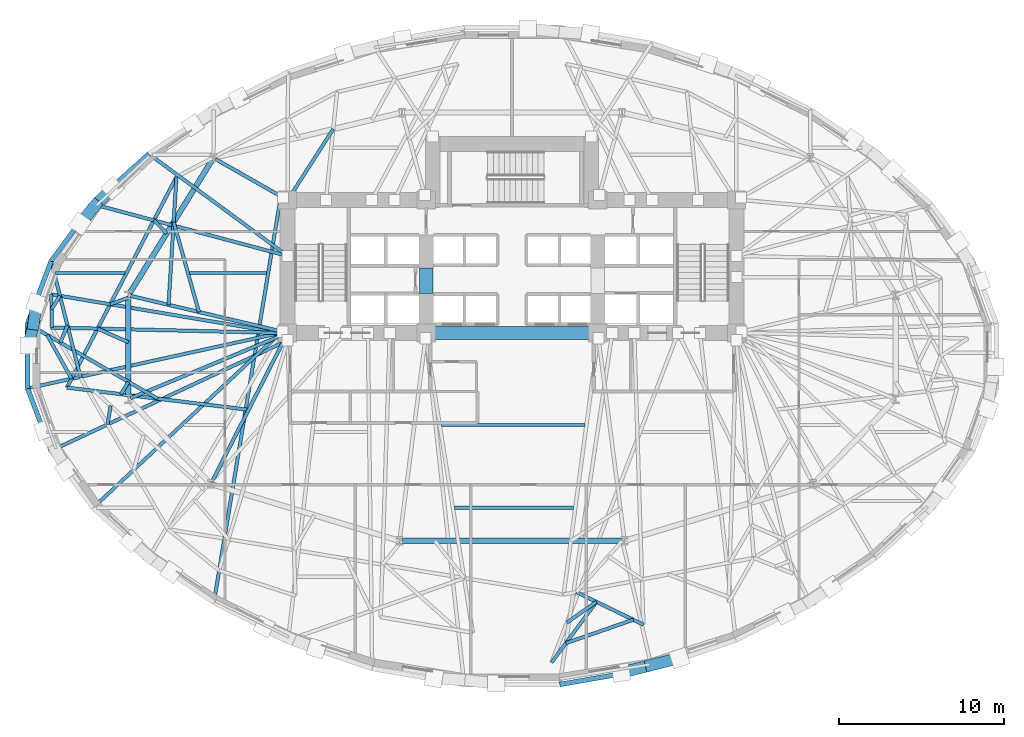
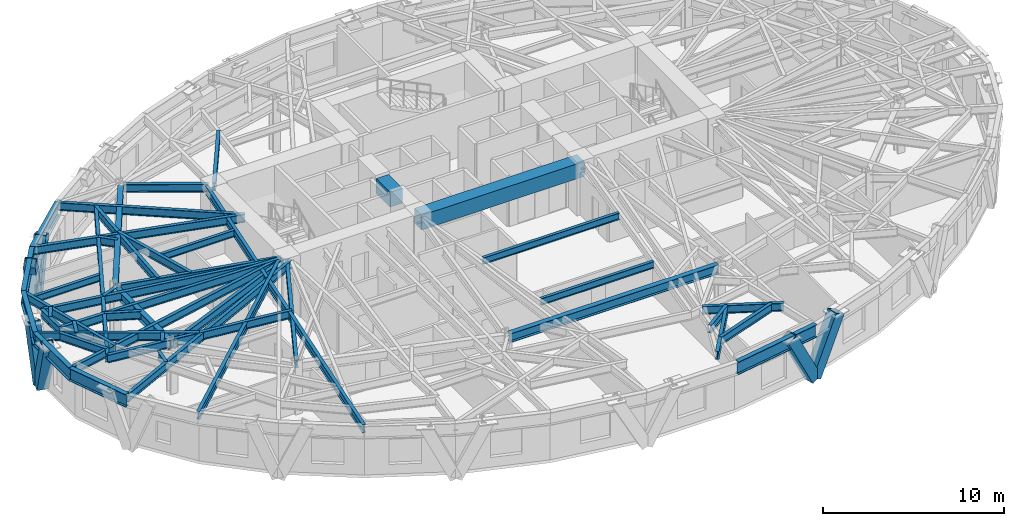
# One storey, part 2 of 14: 47 beams, 6 members.
"""IFC4 building model written with IfcOpenShell, lengths in metres."""

from ifc_helpers import new_model, si_unit, direction, frame, origin, origin_2d, place, context, subcontext, project, spatial, rectangle, hollow_rectangle, i_section, extrude, material, material_profile, profile_set, type_object, element, save


model = new_model("IFC4")

# Units and contexts
model_context = context("Model", 3, precision=1e-05, world=origin(), true_north=direction((0.0, 1.0)))
body_context = subcontext(model_context, "Body", "Model", "MODEL_VIEW")
ifc_project = project(units=[si_unit("LENGTHUNIT", "METRE"), si_unit("AREAUNIT", "SQUARE_METRE"), si_unit("VOLUMEUNIT", "CUBIC_METRE"), si_unit("PLANEANGLEUNIT", "RADIAN"), si_unit("MASSUNIT", "GRAM", prefix="KILO")], contexts=[model_context])

# Site, building, storey
site_placement = place(None, origin())
site = spatial("IfcSite", under=ifc_project, at=site_placement, CompositionType="ELEMENT")
building_placement = place(site_placement, origin())
building = spatial("IfcBuilding", under=site, at=building_placement, Name="Keldmark Tower", CompositionType="ELEMENT")
storey_placement = place(building_placement, frame((0.0, 0.0, 59.39990234375)))
storey = spatial("IfcBuildingStorey", under=building, at=storey_placement, Name="L15", CompositionType="ELEMENT", Elevation=59.39990234375)

# Beams
ifc_material_1 = material(Name="Steel ASTM A992 Grade 50", Category="steel")
ifc_material_profile_1 = material_profile(ifc_material_1, i_section(OverallWidth=0.19091796875, OverallDepth=0.45703125, WebThickness=0.009033203125, FlangeThickness=0.014404296875, at=origin_2d()), Name="W18X50")
ifc_profile_set_1 = profile_set([ifc_material_profile_1], Name="Steel ASTM A992 Grade 50")
beam_type_1 = type_object("IfcBeamType", Name="Composite Floor Joist W18X50", PredefinedType="JOIST", material=ifc_profile_set_1)
beam_1_placement = place(storey_placement, frame((-3.484375, -9.199951171875, 3.171630859375), z_axis=(1.0, 0.0, 0.0), x_axis=(0.0, 1.0, 0.0)))
element("IfcBeam", 1, at=beam_1_placement, inside=storey, type_object=beam_type_1, Name="L15 Composite Floor Joist J03", PredefinedType="JOIST", context=body_context, shape_type="SweptSolid", body=[
    extrude(i_section(OverallWidth=0.19091796875, OverallDepth=0.45703125, WebThickness=0.009033203125, FlangeThickness=0.014404296875, at=origin_2d()), origin(), (0.0, 0.0, 1.0), 7.225341796875),
])
beam_2_placement = place(storey_placement, frame((-4.28466796875, -4.179931640625, 3.171630859375), z_axis=(1.0, 0.0, 0.0), x_axis=(0.0, 1.0, 0.0)))
element("IfcBeam", 2, at=beam_2_placement, inside=storey, type_object=beam_type_1, Name="L15 Composite Floor Joist J08", PredefinedType="JOIST", context=body_context, shape_type="SweptSolid", body=[
    extrude(i_section(OverallWidth=0.19091796875, OverallDepth=0.45703125, WebThickness=0.009033203125, FlangeThickness=0.014404296875, at=origin_2d()), origin(), (0.0, 0.0, 1.0), 8.69921875),
])
beam_3_placement = place(storey_placement, frame((-27.656005859375, 5.0400390625, 3.171630859375), z_axis=(1.0, 0.0, 0.0), x_axis=(0.0, 1.0, 0.0)))
element("IfcBeam", 3, at=beam_3_placement, inside=storey, type_object=beam_type_1, Name="L15 Composite Floor Joist J13", PredefinedType="JOIST", context=body_context, shape_type="SweptSolid", body=[
    extrude(i_section(OverallWidth=0.19091796875, OverallDepth=0.45703125, WebThickness=0.009033203125, FlangeThickness=0.014404296875, at=origin_2d()), origin(), (0.0, 0.0, 1.0), 4.185791015625),
])
beam_4_placement = place(storey_placement, frame((-19.542724609375, 5.0400390625, 3.171630859375), z_axis=(1.0, 0.0, 0.0), x_axis=(0.0, 1.0, 0.0)))
element("IfcBeam", 4, at=beam_4_placement, inside=storey, type_object=beam_type_1, Name="L15 Composite Floor Joist J14", PredefinedType="JOIST", context=body_context, shape_type="SweptSolid", body=[
    extrude(i_section(OverallWidth=0.19091796875, OverallDepth=0.45703125, WebThickness=0.009033203125, FlangeThickness=0.014404296875, at=origin_2d()), origin(), (0.0, 0.0, 1.0), 4.66845703125),
])
ifc_material_2 = material(Name="Concrete C70/85", Category="concrete")
ifc_material_profile_2 = material_profile(ifc_material_2, rectangle(XDim=0.800048828125, YDim=1.0, at=origin_2d()), Name="RCB800X1000")
ifc_profile_set_2 = profile_set([ifc_material_profile_2], Name="Concrete C70/85")
beam_type_2 = type_object("IfcBeamType", Name="Core Coupling Beam RCB800X1000", PredefinedType="USERDEFINED", material=ifc_profile_set_2)
beam_5_placement = place(storey_placement, frame((-5.199951171875, 3.800048828125, 2.900146484375), z_axis=(0.0, 1.0, 0.0), x_axis=(-1.0, 0.0, 0.0)))
element("IfcBeam", 5, at=beam_5_placement, inside=storey, type_object=beam_type_2, Name="L15 West Core Coupling Beam", ObjectType="COUPLING BEAM", PredefinedType="USERDEFINED", context=body_context, shape_type="SweptSolid", body=[
    extrude(rectangle(XDim=0.800048828125, YDim=1.0, at=origin_2d()), origin(), (0.0, 0.0, 1.0), 1.550048828125),
])
beam_6_placement = place(storey_placement, frame((-5.199951171875, 1.39990234375, 2.900146484375), z_axis=(1.0, 0.0, 0.0), x_axis=(0.0, 1.0, 0.0)))
element("IfcBeam", 6, at=beam_6_placement, inside=storey, type_object=beam_type_2, Name="L15 Central South Core Coupling Beam", ObjectType="COUPLING BEAM", PredefinedType="USERDEFINED", context=body_context, shape_type="SweptSolid", body=[
    extrude(rectangle(XDim=0.800048828125, YDim=1.0, at=origin_2d()), origin(), (0.0, 0.0, 1.0), 10.39990234375),
])

# Members
ifc_material_3 = material(Name="Steel ASTM A572 Grade 50", Category="steel")
ifc_material_profile_3 = material_profile(ifc_material_3, hollow_rectangle(XDim=0.699951171875, YDim=0.699951171875, WallThickness=0.054931640625, at=origin_2d()), Name="BOX700X700X55")
ifc_profile_set_3 = profile_set([ifc_material_profile_3], Name="Steel ASTM A572 Grade 50")
member_type = type_object("IfcMemberType", Name="Diagrid Zone 1 Brace BOX700X700X55", PredefinedType="BRACE", material=ifc_profile_set_3)
member_1_placement = place(storey_placement, frame((-25.257080078125, 9.13134765625, -0.27978515625), z_axis=(0.268908672115, 0.272266862413, 0.923882504268), x_axis=(-0.711480936802, 0.702705398135, 0.0)))
element("IfcMember", 7, at=member_1_placement, inside=storey, type_object=member_type, Name="L15 Perimeter Diagrid Brace 07A", PredefinedType="BRACE", context=body_context, shape_type="SweptSolid", body=[
    extrude(hollow_rectangle(XDim=0.699951171875, YDim=0.699951171875, WallThickness=0.054931640625, at=origin_2d()), origin(), (0.0, 0.0, 1.0), 3.85302734375),
])
member_2_placement = place(storey_placement, frame((-25.25048828125, 9.14111328125, -0.27978515625), z_axis=(-0.243482315817, -0.290884267841, 0.925258182675), x_axis=(0.766820858805, -0.641861176971, 0.0)))
element("IfcMember", 8, at=member_2_placement, inside=storey, type_object=member_type, Name="L15 Perimeter Diagrid Brace 07B", PredefinedType="BRACE", context=body_context, shape_type="SweptSolid", body=[
    extrude(hollow_rectangle(XDim=0.699951171875, YDim=0.699951171875, WallThickness=0.054931640625, at=origin_2d()), origin(), (0.0, 0.0, 1.0), 3.847412109375),
])
member_3_placement = place(storey_placement, frame((-29.00048828125, 1.9228515625, -0.27978515625), z_axis=(0.045507964239, 0.338473541384, 0.939874825162), x_axis=(-0.991082244574, 0.133251583445, 0.0)))
element("IfcMember", 9, at=member_3_placement, inside=storey, type_object=member_type, Name="L15 Perimeter Diagrid Brace 08A", PredefinedType="BRACE", context=body_context, shape_type="SweptSolid", body=[
    extrude(hollow_rectangle(XDim=0.699951171875, YDim=0.699951171875, WallThickness=0.054931640625, at=origin_2d()), origin(), (0.0, 0.0, 1.0), 3.78759765625),
])
member_4_placement = place(storey_placement, frame((-28.998291015625, 1.934326171875, -0.27978515625), z_axis=(-0.079851814442, -0.338823721505, 0.937455158115), x_axis=(0.973334750273, -0.229389328243, 0.0)))
element("IfcMember", 10, at=member_4_placement, inside=storey, type_object=member_type, Name="L15 Perimeter Diagrid Brace 08B", PredefinedType="BRACE", context=body_context, shape_type="SweptSolid", body=[
    extrude(hollow_rectangle(XDim=0.699951171875, YDim=0.699951171875, WallThickness=0.054931640625, at=origin_2d()), origin(), (0.0, 0.0, 1.0), 3.79736328125),
])
member_5_placement = place(storey_placement, frame((8.4052734375, -18.739013671875, -0.27978515625), z_axis=(-0.447842447111, -0.115472207341, 0.886624673635), x_axis=(0.249675217965, -0.968329636815, 0.0)))
element("IfcMember", 11, at=member_5_placement, inside=storey, type_object=member_type, Name="L15 Perimeter Diagrid Brace 13A", PredefinedType="BRACE", context=body_context, shape_type="SweptSolid", body=[
    extrude(hollow_rectangle(XDim=0.699951171875, YDim=0.699951171875, WallThickness=0.054931640625, at=origin_2d()), origin(), (0.0, 0.0, 1.0), 4.01513671875),
])
member_6_placement = place(storey_placement, frame((8.393798828125, -18.7412109375, -0.27978515625), z_axis=(0.441031186256, 0.108394198451, 0.890922101248), x_axis=(-0.238671651166, 0.971100325883, 0.0)))
element("IfcMember", 12, at=member_6_placement, inside=storey, type_object=member_type, Name="L15 Perimeter Diagrid Brace 13B", PredefinedType="BRACE", context=body_context, shape_type="SweptSolid", body=[
    extrude(hollow_rectangle(XDim=0.699951171875, YDim=0.699951171875, WallThickness=0.054931640625, at=origin_2d()), origin(), (0.0, 0.0, 1.0), 3.99560546875),
])

# Beams
ifc_material_4 = material(Name="Steel ASTM A992 Grade 50", Category="steel")
ifc_material_profile_4 = material_profile(ifc_material_4, i_section(OverallWidth=0.323974609375, OverallDepth=0.611083984375, WebThickness=0.0126953125, FlangeThickness=0.01904296875, at=origin_2d()), Name="W24X104")
ifc_profile_set_4 = profile_set([ifc_material_profile_4], Name="Steel ASTM A992 Grade 50")
beam_type_3 = type_object("IfcBeamType", Name="Primary Floor Girder W24X104", PredefinedType="BEAM", material=ifc_profile_set_4)
beam_7_placement = place(storey_placement, frame((-18.17138671875, 11.888427734375, 3.094482421875), z_axis=(-0.526318405849, -0.850287560573, 0.0), x_axis=(0.850287560573, -0.526318405849, 0.0)))
element("IfcBeam", 13, at=beam_7_placement, inside=storey, type_object=beam_type_3, Name="L15 Floor Ring Girder FG-R05", PredefinedType="BEAM", context=body_context, shape_type="SweptSolid", body=[
    extrude(i_section(OverallWidth=0.323974609375, OverallDepth=0.611083984375, WebThickness=0.0126953125, FlangeThickness=0.01904296875, at=origin_2d()), origin(), (0.0, 0.0, 1.0), 9.51708984375),
])
beam_8_placement = place(storey_placement, frame((-23.25390625, 3.537109375, 3.094482421875), z_axis=(0.0, -1.0, 0.0), x_axis=(1.0, 0.0, 0.0)))
element("IfcBeam", 14, at=beam_8_placement, inside=storey, type_object=beam_type_3, Name="L15 Floor Ring Girder FG-R06", PredefinedType="BEAM", context=body_context, shape_type="SweptSolid", body=[
    extrude(i_section(OverallWidth=0.323974609375, OverallDepth=0.611083984375, WebThickness=0.0126953125, FlangeThickness=0.01904296875, at=origin_2d()), origin(), (0.0, 0.0, 1.0), 6.01025390625),
])
beam_9_placement = place(storey_placement, frame((-6.68212890625, -11.205810546875, 3.094482421875), z_axis=(1.0, 0.0, 0.0), x_axis=(0.0, 1.0, 0.0)))
element("IfcBeam", 15, at=beam_9_placement, inside=storey, type_object=beam_type_3, Name="L15 Floor Ring Girder FG-R09", PredefinedType="BEAM", context=body_context, shape_type="SweptSolid", body=[
    extrude(i_section(OverallWidth=0.323974609375, OverallDepth=0.611083984375, WebThickness=0.0126953125, FlangeThickness=0.01904296875, at=origin_2d()), origin(), (0.0, 0.0, 1.0), 13.3642578125),
])
ifc_material_5 = material(Name="Steel ASTM A992 Grade 50", Category="steel")
ifc_material_profile_5 = material_profile(ifc_material_5, i_section(OverallWidth=0.2099609375, OverallDepth=0.537109375, WebThickness=0.010986328125, FlangeThickness=0.017333984375, at=origin_2d()), Name="W21X68")
ifc_profile_set_5 = profile_set([ifc_material_profile_5], Name="Steel ASTM A992 Grade 50")
beam_type_4 = type_object("IfcBeamType", Name="Radial Tie Girder W21X68", PredefinedType="BEAM", material=ifc_profile_set_5)
beam_10_placement = place(storey_placement, frame((-13.60009765625, 9.449951171875, 3.131591796875), z_axis=(0.540328331068, 0.841454273651, 0.0), x_axis=(-0.841454273651, 0.540328331068, 0.0)))
element("IfcBeam", 16, at=beam_10_placement, inside=storey, type_object=beam_type_4, Name="L15 Framing Pin Header PH-005", PredefinedType="BEAM", context=body_context, shape_type="SweptSolid", body=[
    extrude(i_section(OverallWidth=0.2099609375, OverallDepth=0.537109375, WebThickness=0.010986328125, FlangeThickness=0.017333984375, at=origin_2d()), origin(), (0.0, 0.0, 1.0), 5.117431640625),
])
beam_11_placement = place(storey_placement, frame((-18.974853515625, 2.66796875, 3.131591796875), z_axis=(-0.270963018547, 0.962589758194, 0.0), x_axis=(-0.962589758194, -0.270963018547, 0.0)))
element("IfcBeam", 17, at=beam_11_placement, inside=storey, type_object=beam_type_4, Name="L15 Framing Pin Header PH-006", PredefinedType="BEAM", context=body_context, shape_type="SweptSolid", body=[
    extrude(i_section(OverallWidth=0.2099609375, OverallDepth=0.537109375, WebThickness=0.010986328125, FlangeThickness=0.017333984375, at=origin_2d()), origin(), (0.0, 0.0, 1.0), 5.657470703125),
])
beam_12_placement = place(storey_placement, frame((-20.816162109375, 3.102294921875, 3.131591796875), z_axis=(0.06139334626, 0.998113649358, 0.0), x_axis=(-0.998113649358, 0.06139334626, 0.0)))
element("IfcBeam", 18, at=beam_12_placement, inside=storey, type_object=beam_type_4, Name="L15 Sub-Ring Step Girder STP1-M06", PredefinedType="BEAM", context=body_context, shape_type="SweptSolid", body=[
    extrude(i_section(OverallWidth=0.2099609375, OverallDepth=0.537109375, WebThickness=0.010986328125, FlangeThickness=0.017333984375, at=origin_2d()), origin(), (0.0, 0.0, 1.0), 7.762451171875),
])
beam_13_placement = place(storey_placement, frame((-23.25390625, -1.571533203125, 3.131591796875), z_axis=(-0.519661140087, -0.85437245946, 0.0), x_axis=(0.85437245946, -0.519661140087, 0.0)))
element("IfcBeam", 19, at=beam_13_placement, inside=storey, type_object=beam_type_4, Name="L15 Framing Pin Header PH-007", PredefinedType="BEAM", context=body_context, shape_type="SweptSolid", body=[
    extrude(i_section(OverallWidth=0.2099609375, OverallDepth=0.537109375, WebThickness=0.010986328125, FlangeThickness=0.017333984375, at=origin_2d()), origin(), (0.0, 0.0, 1.0), 0.8671875),
])
beam_14_placement = place(storey_placement, frame((-15.96728515625, -3.258056640625, 3.131591796875), z_axis=(-0.992616109311, 0.121298225607, 0.0), x_axis=(-0.121298225607, -0.992616109311, 0.0)))
element("IfcBeam", 20, at=beam_14_placement, inside=storey, type_object=beam_type_4, Name="L15 Sub-Ring Step Girder STP1-M07", PredefinedType="BEAM", context=body_context, shape_type="SweptSolid", body=[
    extrude(i_section(OverallWidth=0.2099609375, OverallDepth=0.537109375, WebThickness=0.010986328125, FlangeThickness=0.017333984375, at=origin_2d()), origin(), (0.0, 0.0, 1.0), 11.092041015625),
])
beam_15_placement = place(storey_placement, frame((-20.339599609375, 10.85009765625, 3.131591796875), z_axis=(-0.461425941437, -0.887178730904, 0.0), x_axis=(0.887178730904, -0.461425941437, 0.0)))
element("IfcBeam", 21, at=beam_15_placement, inside=storey, type_object=beam_type_4, Name="L15 Perimeter Collector Ring Beam CRG1-M06", PredefinedType="BEAM", context=body_context, shape_type="SweptSolid", body=[
    extrude(i_section(OverallWidth=0.2099609375, OverallDepth=0.537109375, WebThickness=0.010986328125, FlangeThickness=0.017333984375, at=origin_2d()), origin(), (0.0, 0.0, 1.0), 14.3857421875),
])
beam_16_placement = place(storey_placement, frame((-23.25390625, 0.83251953125, 3.131591796875), z_axis=(-0.913816481549, 0.406127366783, 0.0), x_axis=(-0.406127366783, -0.913816481549, 0.0)))
element("IfcBeam", 22, at=beam_16_placement, inside=storey, type_object=beam_type_4, Name="L15 Framing Pin Header PH-010", PredefinedType="BEAM", context=body_context, shape_type="SweptSolid", body=[
    extrude(i_section(OverallWidth=0.2099609375, OverallDepth=0.537109375, WebThickness=0.010986328125, FlangeThickness=0.017333984375, at=origin_2d()), origin(), (0.0, 0.0, 1.0), 2.040771484375),
])
beam_17_placement = place(storey_placement, frame((-14.050048828125, 1.39990234375, 3.131591796875), z_axis=(-0.99972154515, 0.023597291443, 0.0), x_axis=(-0.023597291443, -0.99972154515, 0.0)))
element("IfcBeam", 23, at=beam_17_placement, inside=storey, type_object=beam_type_4, Name="L15 Sub-Ring Step Girder STP2-M07", PredefinedType="BEAM", context=body_context, shape_type="SweptSolid", body=[
    extrude(i_section(OverallWidth=0.2099609375, OverallDepth=0.537109375, WebThickness=0.010986328125, FlangeThickness=0.017333984375, at=origin_2d()), origin(), (0.0, 0.0, 1.0), 13.853515625),
])
beam_18_placement = place(storey_placement, frame((-13.60009765625, 6.064208984375, 3.131591796875), z_axis=(-0.805740902522, 0.592268180813, 0.0), x_axis=(-0.592268180813, -0.805740902522, 0.0)))
element("IfcBeam", 24, at=beam_18_placement, inside=storey, type_object=beam_type_4, Name="L15 Perimeter Radial Tie Girder RT-13", PredefinedType="BEAM", context=body_context, shape_type="SweptSolid", body=[
    extrude(i_section(OverallWidth=0.2099609375, OverallDepth=0.537109375, WebThickness=0.010986328125, FlangeThickness=0.017333984375, at=origin_2d()), origin(), (0.0, 0.0, 1.0), 10.445068359375),
])
beam_19_placement = place(storey_placement, frame((-20.92626953125, 7.437744140625, 3.131591796875), z_axis=(-0.705449376999, 0.708760309619, 0.0), x_axis=(-0.708760309619, -0.705449376999, 0.0)))
element("IfcBeam", 25, at=beam_19_placement, inside=storey, type_object=beam_type_4, Name="L15 Framing Pin Header PH-024", PredefinedType="BEAM", context=body_context, shape_type="SweptSolid", body=[
    extrude(i_section(OverallWidth=0.2099609375, OverallDepth=0.537109375, WebThickness=0.010986328125, FlangeThickness=0.017333984375, at=origin_2d()), origin(), (0.0, 0.0, 1.0), 1.10595703125),
])
beam_20_placement = place(storey_placement, frame((-13.60009765625, 6.064208984375, 3.131591796875), z_axis=(-0.966364647714, 0.25717575245, 0.0), x_axis=(-0.25717575245, -0.966364647714, 0.0)))
element("IfcBeam", 26, at=beam_20_placement, inside=storey, type_object=beam_type_4, Name="L15 Perimeter Radial Tie Girder RT-14", PredefinedType="BEAM", context=body_context, shape_type="SweptSolid", body=[
    extrude(i_section(OverallWidth=0.2099609375, OverallDepth=0.537109375, WebThickness=0.010986328125, FlangeThickness=0.017333984375, at=origin_2d()), origin(), (0.0, 0.0, 1.0), 12.203369140625),
])
beam_21_placement = place(storey_placement, frame((-23.25390625, 3.537109375, 3.131591796875), z_axis=(-0.939163925397, -0.343469243503, 0.0), x_axis=(0.343469243503, -0.939163925397, 0.0)))
element("IfcBeam", 27, at=beam_21_placement, inside=storey, type_object=beam_type_4, Name="L15 Framing Pin Header PH-025", PredefinedType="BEAM", context=body_context, shape_type="SweptSolid", body=[
    extrude(i_section(OverallWidth=0.2099609375, OverallDepth=0.537109375, WebThickness=0.010986328125, FlangeThickness=0.017333984375, at=origin_2d()), origin(), (0.0, 0.0, 1.0), 1.169189453125),
])
beam_22_placement = place(storey_placement, frame((-14.050048828125, 1.39990234375, 3.131591796875), z_axis=(-0.986103831449, 0.166130170657, 0.0), x_axis=(-0.166130170657, -0.986103831449, 0.0)))
element("IfcBeam", 28, at=beam_22_placement, inside=storey, type_object=beam_type_4, Name="L15 Intermediate Radial Step Girder RT-15M", PredefinedType="BEAM", context=body_context, shape_type="SweptSolid", body=[
    extrude(i_section(OverallWidth=0.2099609375, OverallDepth=0.537109375, WebThickness=0.010986328125, FlangeThickness=0.017333984375, at=origin_2d()), origin(), (0.0, 0.0, 1.0), 14.062255859375),
])
beam_23_placement = place(storey_placement, frame((-27.899658203125, 1.726806640625, 3.131591796875), z_axis=(-0.008626653472, 0.999962789733, 0.0), x_axis=(-0.999962789733, -0.008626653472, 0.0)))
element("IfcBeam", 29, at=beam_23_placement, inside=storey, type_object=beam_type_4, Name="L15 Local Collector Chord RT-15C", PredefinedType="BEAM", context=body_context, shape_type="SweptSolid", body=[
    extrude(i_section(OverallWidth=0.2099609375, OverallDepth=0.537109375, WebThickness=0.010986328125, FlangeThickness=0.017333984375, at=origin_2d()), origin(), (0.0, 0.0, 1.0), 2.00927734375),
])
beam_24_placement = place(storey_placement, frame((-27.9091796875, 2.83203125, 3.131591796875), z_axis=(0.526983674922, 0.849875406378, 0.0), x_axis=(-0.849875406378, 0.526983674922, 0.0)))
element("IfcBeam", 30, at=beam_24_placement, inside=storey, type_object=beam_type_4, Name="L15 Framing Pin Header PH-026", PredefinedType="BEAM", context=body_context, shape_type="SweptSolid", body=[
    extrude(i_section(OverallWidth=0.2099609375, OverallDepth=0.537109375, WebThickness=0.010986328125, FlangeThickness=0.017333984375, at=origin_2d()), origin(), (0.0, 0.0, 1.0), 0.961669921875),
])
beam_25_placement = place(storey_placement, frame((-26.138671875, -1.329833984375, 3.131591796875), z_axis=(-0.24599674477, 0.969270654442, 0.0), x_axis=(-0.969270654442, -0.24599674477, 0.0)))
element("IfcBeam", 31, at=beam_25_placement, inside=storey, type_object=beam_type_4, Name="L15 Perimeter Radial Tie Girder RT-15", PredefinedType="BEAM", context=body_context, shape_type="SweptSolid", body=[
    extrude(i_section(OverallWidth=0.2099609375, OverallDepth=0.537109375, WebThickness=0.010986328125, FlangeThickness=0.017333984375, at=origin_2d()), origin(), (0.0, 0.0, 1.0), 7.299560546875),
])
beam_26_placement = place(storey_placement, frame((-26.94677734375, 1.85400390625, 3.131591796875), z_axis=(-0.381416869782, -0.924403143355, 0.0), x_axis=(0.924403143355, -0.381416869782, 0.0)))
element("IfcBeam", 32, at=beam_26_placement, inside=storey, type_object=beam_type_4, Name="L15 Framing Pin Header PH-027", PredefinedType="BEAM", context=body_context, shape_type="SweptSolid", body=[
    extrude(i_section(OverallWidth=0.2099609375, OverallDepth=0.537109375, WebThickness=0.010986328125, FlangeThickness=0.017333984375, at=origin_2d()), origin(), (0.0, 0.0, 1.0), 1.122802734375),
])
beam_27_placement = place(storey_placement, frame((-21.472412109375, -2.585205078125, 3.131591796875), z_axis=(-0.866435470103, 0.499289070727, 0.0), x_axis=(-0.499289070727, -0.866435470103, 0.0)))
element("IfcBeam", 33, at=beam_27_placement, inside=storey, type_object=beam_type_4, Name="L15 Perimeter Radial Tie Girder RT-16", PredefinedType="BEAM", context=body_context, shape_type="SweptSolid", body=[
    extrude(i_section(OverallWidth=0.2099609375, OverallDepth=0.537109375, WebThickness=0.010986328125, FlangeThickness=0.017333984375, at=origin_2d()), origin(), (0.0, 0.0, 1.0), 9.104736328125),
])
beam_28_placement = place(storey_placement, frame((-28.177978515625, 1.27880859375, 3.131591796875), z_axis=(0.486706536772, -0.873565536788, 0.0), x_axis=(0.873565536788, 0.486706536772, 0.0)))
element("IfcBeam", 34, at=beam_28_placement, inside=storey, type_object=beam_type_4, Name="L15 Framing Pin Header PH-028", PredefinedType="BEAM", context=body_context, shape_type="SweptSolid", body=[
    extrude(i_section(OverallWidth=0.2099609375, OverallDepth=0.537109375, WebThickness=0.010986328125, FlangeThickness=0.017333984375, at=origin_2d()), origin(), (0.0, 0.0, 1.0), 3.039306640625),
])
beam_29_placement = place(storey_placement, frame((-14.050048828125, 1.39990234375, 3.131591796875), z_axis=(-0.976749195639, -0.214385187964, 0.0), x_axis=(0.214385187964, -0.976749195639, 0.0)))
element("IfcBeam", 35, at=beam_29_placement, inside=storey, type_object=beam_type_4, Name="L15 Perimeter Radial Tie Girder RT-17", PredefinedType="BEAM", context=body_context, shape_type="SweptSolid", body=[
    extrude(i_section(OverallWidth=0.2099609375, OverallDepth=0.537109375, WebThickness=0.010986328125, FlangeThickness=0.017333984375, at=origin_2d()), origin(), (0.0, 0.0, 1.0), 15.675537109375),
])
beam_30_placement = place(storey_placement, frame((-24.32763671875, -3.010498046875, 3.131591796875), z_axis=(-0.162613268252, -0.986689882885, 0.0), x_axis=(0.986689882885, -0.162613268252, 0.0)))
element("IfcBeam", 36, at=beam_30_placement, inside=storey, type_object=beam_type_4, Name="L15 Framing Pin Header PH-029", PredefinedType="BEAM", context=body_context, shape_type="SweptSolid", body=[
    extrude(i_section(OverallWidth=0.2099609375, OverallDepth=0.537109375, WebThickness=0.010986328125, FlangeThickness=0.017333984375, at=origin_2d()), origin(), (0.0, 0.0, 1.0), 1.153076171875),
])
beam_31_placement = place(storey_placement, frame((-13.60009765625, 0.949951171875, 3.131591796875), z_axis=(-0.906037612237, -0.423197170609, 0.0), x_axis=(0.423197170609, -0.906037612237, 0.0)))
element("IfcBeam", 37, at=beam_31_placement, inside=storey, type_object=beam_type_4, Name="L15 Perimeter Radial Tie Girder RT-18", PredefinedType="BEAM", context=body_context, shape_type="SweptSolid", body=[
    extrude(i_section(OverallWidth=0.2099609375, OverallDepth=0.537109375, WebThickness=0.010986328125, FlangeThickness=0.017333984375, at=origin_2d()), origin(), (0.0, 0.0, 1.0), 15.82080078125),
])
beam_32_placement = place(storey_placement, frame((-14.050048828125, 1.39990234375, 3.131591796875), z_axis=(-0.730549959709, -0.682859250775, 0.0), x_axis=(0.682859250775, -0.730549959709, 0.0)))
element("IfcBeam", 38, at=beam_32_placement, inside=storey, type_object=beam_type_4, Name="L15 Perimeter Radial Tie Girder RT-19", PredefinedType="BEAM", context=body_context, shape_type="SweptSolid", body=[
    extrude(i_section(OverallWidth=0.2099609375, OverallDepth=0.537109375, WebThickness=0.010986328125, FlangeThickness=0.017333984375, at=origin_2d()), origin(), (0.0, 0.0, 1.0), 15.526611328125),
])
beam_33_placement = place(storey_placement, frame((-14.050048828125, 9.449951171875, 3.131591796875), z_axis=(-0.162634425014, -0.986686395873, 0.0), x_axis=(0.986686395873, -0.162634425014, 0.0)))
element("IfcBeam", 39, at=beam_33_placement, inside=storey, type_object=beam_type_4, Name="L15 Perimeter Radial Tie Girder RT-21", PredefinedType="BEAM", context=body_context, shape_type="SweptSolid", body=[
    extrude(i_section(OverallWidth=0.2099609375, OverallDepth=0.537109375, WebThickness=0.010986328125, FlangeThickness=0.017333984375, at=origin_2d()), origin(), (0.0, 0.0, 1.0), 24.7060546875),
])
beam_34_placement = place(storey_placement, frame((3.897216796875, -14.30859375, 3.131591796875), z_axis=(0.899575495404, -0.436765300898, 0.0), x_axis=(0.436765300898, 0.899575495404, 0.0)))
element("IfcBeam", 40, at=beam_34_placement, inside=storey, type_object=beam_type_4, Name="L15 Local Collector Chord RT-26C", PredefinedType="BEAM", context=body_context, shape_type="SweptSolid", body=[
    extrude(i_section(OverallWidth=0.2099609375, OverallDepth=0.537109375, WebThickness=0.010986328125, FlangeThickness=0.017333984375, at=origin_2d()), origin(), (0.0, 0.0, 1.0), 4.518310546875),
])
beam_35_placement = place(storey_placement, frame((5.11669921875, -14.900634765625, 3.131591796875), z_axis=(-0.81843873069, -0.574593807925, 0.0), x_axis=(0.574593807925, -0.81843873069, 0.0)))
element("IfcBeam", 41, at=beam_35_placement, inside=storey, type_object=beam_type_4, Name="L15 Framing Pin Header PH-049", PredefinedType="BEAM", context=body_context, shape_type="SweptSolid", body=[
    extrude(i_section(OverallWidth=0.2099609375, OverallDepth=0.537109375, WebThickness=0.010986328125, FlangeThickness=0.017333984375, at=origin_2d()), origin(), (0.0, 0.0, 1.0), 2.185546875),
])
beam_36_placement = place(storey_placement, frame((2.400146484375, -18.57470703125, 3.131591796875), z_axis=(0.594523258077, 0.804078413841, 0.0), x_axis=(-0.804078413841, 0.594523258077, 0.0)))
element("IfcBeam", 42, at=beam_36_placement, inside=storey, type_object=beam_type_4, Name="L15 Crown Step Collector Chord RT-25RP2", PredefinedType="BEAM", context=body_context, shape_type="SweptSolid", body=[
    extrude(i_section(OverallWidth=0.2099609375, OverallDepth=0.537109375, WebThickness=0.010986328125, FlangeThickness=0.017333984375, at=origin_2d()), origin(), (0.0, 0.0, 1.0), 4.5693359375),
])
beam_37_placement = place(storey_placement, frame((7.35205078125, -15.98583984375, 3.131591796875), z_axis=(-0.944774449459, -0.327721283484, 0.0), x_axis=(0.327721283484, -0.944774449459, 0.0)))
element("IfcBeam", 43, at=beam_37_placement, inside=storey, type_object=beam_type_4, Name="L15 Framing Pin Header PH-050", PredefinedType="BEAM", context=body_context, shape_type="SweptSolid", body=[
    extrude(i_section(OverallWidth=0.2099609375, OverallDepth=0.537109375, WebThickness=0.010986328125, FlangeThickness=0.017333984375, at=origin_2d()), origin(), (0.0, 0.0, 1.0), 4.324462890625),
])
ifc_material_6 = material(Name="Steel ASTM A992 Grade 50", Category="steel")
ifc_material_profile_6 = material_profile(ifc_material_6, i_section(OverallWidth=0.214111328125, OverallDepth=0.549072265625, WebThickness=0.0146484375, FlangeThickness=0.023681640625, at=origin_2d()), Name="W21X93")
ifc_profile_set_6 = profile_set([ifc_material_profile_6], Name="Steel ASTM A992 Grade 50")
beam_type_5 = type_object("IfcBeamType", Name="Radial Tie Girder W21X93", PredefinedType="BEAM", material=ifc_profile_set_6)
beam_38_placement = place(storey_placement, frame((-17.97607421875, 11.938232421875, 3.12548828125), z_axis=(0.869299282131, -0.494286109542, 0.0), x_axis=(0.494286109542, 0.869299282131, 0.0)))
element("IfcBeam", 44, at=beam_38_placement, inside=storey, type_object=beam_type_5, Name="L15 Floor Radial Girder FG-C05", PredefinedType="BEAM", context=body_context, shape_type="SweptSolid", body=[
    extrude(i_section(OverallWidth=0.214111328125, OverallDepth=0.549072265625, WebThickness=0.0146484375, FlangeThickness=0.023681640625, at=origin_2d()), origin(), (0.0, 0.0, 1.0), 4.714111328125),
])
beam_39_placement = place(storey_placement, frame((-23.11767578125, 3.64501953125, 3.12548828125), z_axis=(0.973287364179, -0.229590301909, 0.0), x_axis=(0.229590301909, 0.973287364179, 0.0)))
element("IfcBeam", 45, at=beam_39_placement, inside=storey, type_object=beam_type_5, Name="L15 Floor Radial Girder FG-C06", PredefinedType="BEAM", context=body_context, shape_type="SweptSolid", body=[
    extrude(i_section(OverallWidth=0.214111328125, OverallDepth=0.549072265625, WebThickness=0.0146484375, FlangeThickness=0.023681640625, at=origin_2d()), origin(), (0.0, 0.0, 1.0), 9.458740234375),
])
beam_40_placement = place(storey_placement, frame((-23.124755859375, -2.5595703125, 3.12548828125), z_axis=(0.923390978102, 0.383860784088, 0.0), x_axis=(-0.383860784088, 0.923390978102, 0.0)))
element("IfcBeam", 46, at=beam_40_placement, inside=storey, type_object=beam_type_5, Name="L15 Floor Radial Girder FG-C07", PredefinedType="BEAM", context=body_context, shape_type="SweptSolid", body=[
    extrude(i_section(OverallWidth=0.214111328125, OverallDepth=0.549072265625, WebThickness=0.0146484375, FlangeThickness=0.023681640625, at=origin_2d()), origin(), (0.0, 0.0, 1.0), 9.994873046875),
])
beam_41_placement = place(storey_placement, frame((-18.189453125, -7.630859375, 3.12548828125), z_axis=(0.453037526986, 0.891491446478, 0.0), x_axis=(-0.891491446478, 0.453037526986, 0.0)))
element("IfcBeam", 47, at=beam_41_placement, inside=storey, type_object=beam_type_5, Name="L15 Floor Radial Girder FG-C08", PredefinedType="BEAM", context=body_context, shape_type="SweptSolid", body=[
    extrude(i_section(OverallWidth=0.214111328125, OverallDepth=0.549072265625, WebThickness=0.0146484375, FlangeThickness=0.023681640625, at=origin_2d()), origin(), (0.0, 0.0, 1.0), 9.81005859375),
])
ifc_material_7 = material(Name="Steel ASTM A992 Grade 50", Category="steel")
ifc_material_profile_7 = material_profile(ifc_material_7, i_section(OverallWidth=0.2919921875, OverallDepth=0.85888671875, WebThickness=0.01708984375, FlangeThickness=0.031005859375, at=origin_2d()), Name="W33X169")
ifc_profile_set_7 = profile_set([ifc_material_profile_7], Name="Steel ASTM A992 Grade 50")
beam_type_6 = type_object("IfcBeamType", Name="Spandrel Ring Beam W33X169", PredefinedType="SPANDREL", material=ifc_profile_set_7)
beam_42_placement = place(storey_placement, frame((-22.01611328125, 12.25048828125, 2.970703125), z_axis=(-0.742354052059, -0.670007806963, 0.0), x_axis=(0.670007806963, -0.742354052059, 0.0)))
element("IfcBeam", 48, at=beam_42_placement, inside=storey, type_object=beam_type_6, Name="L15 Perimeter Spandrel Ring Beam SRB-13", PredefinedType="SPANDREL", context=body_context, shape_type="SweptSolid", body=[
    extrude(i_section(OverallWidth=0.2919921875, OverallDepth=0.85888671875, WebThickness=0.01708984375, FlangeThickness=0.031005859375, at=origin_2d()), origin(), (0.0, 0.0, 1.0), 4.549072265625),
])
beam_43_placement = place(storey_placement, frame((-25.39306640625, 9.20263671875, 2.970703125), z_axis=(-0.592261182237, -0.80574604685, 0.0), x_axis=(0.80574604685, -0.592261182237, 0.0)))
element("IfcBeam", 49, at=beam_43_placement, inside=storey, type_object=beam_type_6, Name="L15 Perimeter Spandrel Ring Beam SRB-14", PredefinedType="SPANDREL", context=body_context, shape_type="SweptSolid", body=[
    extrude(i_section(OverallWidth=0.2919921875, OverallDepth=0.85888671875, WebThickness=0.01708984375, FlangeThickness=0.031005859375, at=origin_2d()), origin(), (0.0, 0.0, 1.0), 4.290771484375),
])
beam_44_placement = place(storey_placement, frame((-27.934326171875, 5.745361328125, 2.970703125), z_axis=(-0.352750180024, -0.935717537771, 0.0), x_axis=(0.935717537771, -0.352750180024, 0.0)))
element("IfcBeam", 50, at=beam_44_placement, inside=storey, type_object=beam_type_6, Name="L15 Perimeter Spandrel Ring Beam SRB-15", PredefinedType="SPANDREL", context=body_context, shape_type="SweptSolid", body=[
    extrude(i_section(OverallWidth=0.2919921875, OverallDepth=0.85888671875, WebThickness=0.01708984375, FlangeThickness=0.031005859375, at=origin_2d()), origin(), (0.0, 0.0, 1.0), 4.044677734375),
])
beam_45_placement = place(storey_placement, frame((-29.361083984375, 1.960693359375, 2.970703125), z_axis=(0.0, -1.0, 0.0), x_axis=(1.0, 0.0, 0.0)))
element("IfcBeam", 51, at=beam_45_placement, inside=storey, type_object=beam_type_6, Name="L15 Perimeter Spandrel Ring Beam SRB-16", PredefinedType="SPANDREL", context=body_context, shape_type="SweptSolid", body=[
    extrude(i_section(OverallWidth=0.2919921875, OverallDepth=0.85888671875, WebThickness=0.01708984375, FlangeThickness=0.031005859375, at=origin_2d()), origin(), (0.0, 0.0, 1.0), 3.92138671875),
])
beam_46_placement = place(storey_placement, frame((-29.361083984375, -1.960693359375, 2.970703125), z_axis=(0.352750180024, -0.935717537771, 0.0), x_axis=(0.935717537771, 0.352750180024, 0.0)))
element("IfcBeam", 52, at=beam_46_placement, inside=storey, type_object=beam_type_6, Name="L15 Perimeter Spandrel Ring Beam SRB-17", PredefinedType="SPANDREL", context=body_context, shape_type="SweptSolid", body=[
    extrude(i_section(OverallWidth=0.2919921875, OverallDepth=0.85888671875, WebThickness=0.01708984375, FlangeThickness=0.031005859375, at=origin_2d()), origin(), (0.0, 0.0, 1.0), 4.044677734375),
])
beam_47_placement = place(storey_placement, frame((2.891845703125, -19.9072265625, 2.970703125), z_axis=(0.985308697227, 0.170782818716, 0.0), x_axis=(-0.170782818716, 0.985308697227, 0.0)))
element("IfcBeam", 53, at=beam_47_placement, inside=storey, type_object=beam_type_6, Name="L15 Perimeter Spandrel Ring Beam SRB-25", PredefinedType="SPANDREL", context=body_context, shape_type="SweptSolid", body=[
    extrude(i_section(OverallWidth=0.2919921875, OverallDepth=0.85888671875, WebThickness=0.01708984375, FlangeThickness=0.031005859375, at=origin_2d()), origin(), (0.0, 0.0, 1.0), 5.665283203125),
])

save(model, "model.ifc")
